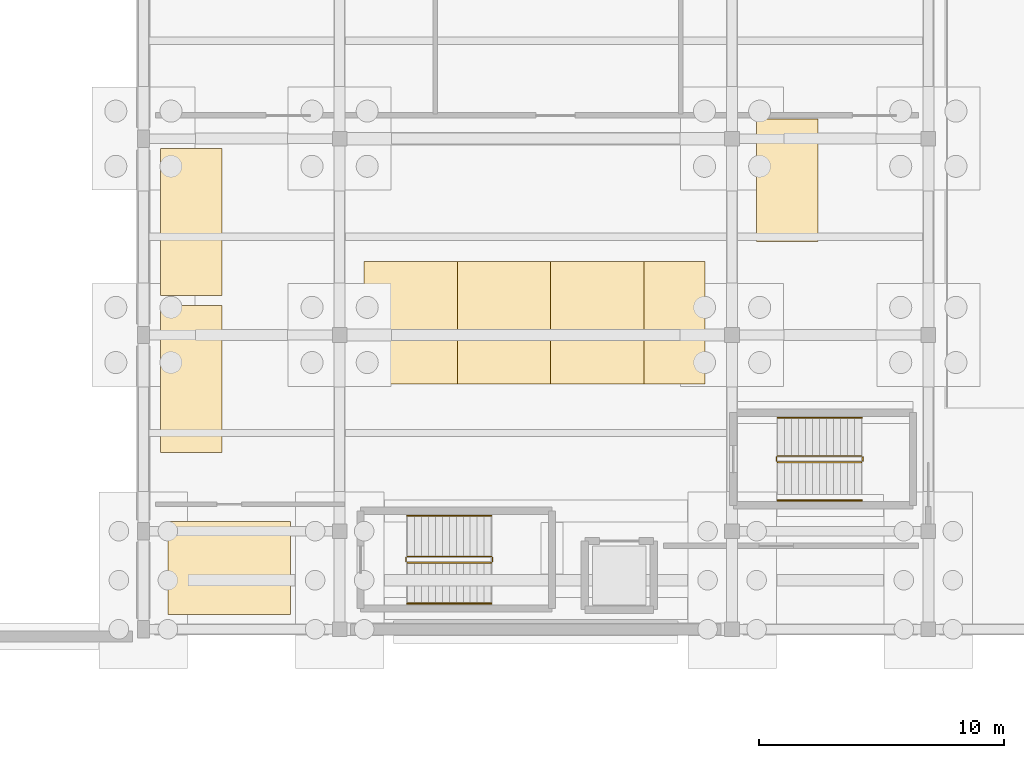
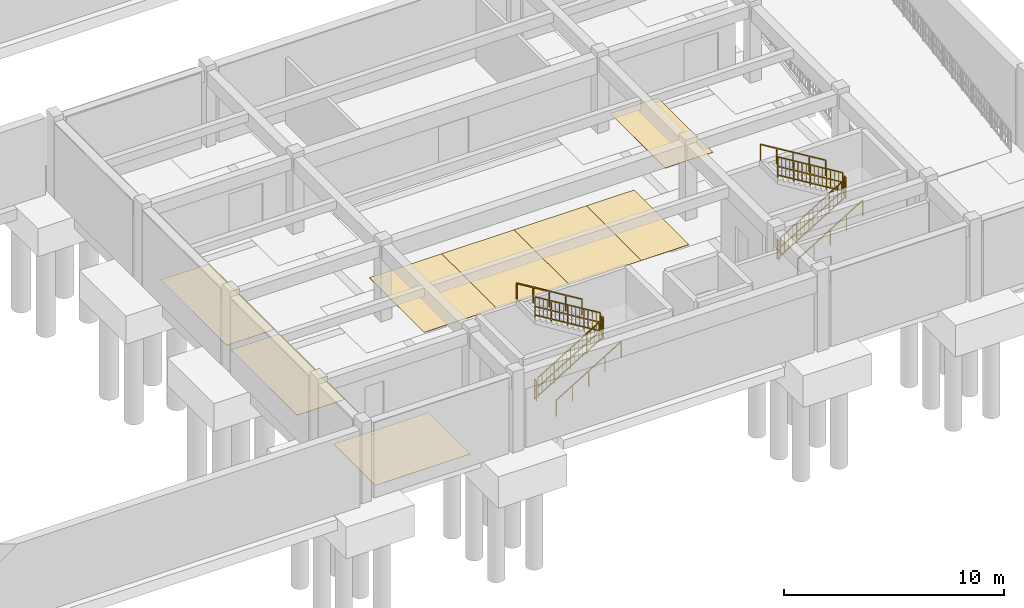
# One storey, part 8 of 11: 12 railings, 8 coverings.
"""IFC4 building model written with IfcOpenShell, lengths in metres."""

from ifc_helpers import new_model, si_unit, direction, frame, origin, origin_2d, place, context, subcontext, project, spatial, polyline, rectangle, outline, extrude, material, layer, layer_set, type_object, element, save


model = new_model("IFC4")

# Units and contexts
model_context = context("Model", 3, precision=1e-05, world=origin(), true_north=direction((0.0, 1.0)))
body_context = subcontext(model_context, "Body", "Model", "MODEL_VIEW")
ifc_project = project(units=[si_unit("LENGTHUNIT", "METRE"), si_unit("AREAUNIT", "SQUARE_METRE"), si_unit("VOLUMEUNIT", "CUBIC_METRE"), si_unit("PLANEANGLEUNIT", "RADIAN"), si_unit("MASSUNIT", "GRAM", prefix="KILO")], contexts=[model_context])

# Site, building, storey
site_placement = place(None, origin())
site = spatial("IfcSite", under=ifc_project, at=site_placement, CompositionType="ELEMENT")
building_placement = place(site_placement, origin())
building = spatial("IfcBuilding", under=site, at=building_placement, Name="Serraluz Foothill Cableway Terminal", CompositionType="ELEMENT")
storey_placement = place(building_placement, frame((0.0, 0.0, -4.5)))
storey = spatial("IfcBuildingStorey", under=building, at=storey_placement, Name="B1", CompositionType="ELEMENT", Elevation=-4.5)

# Coverings
ifc_material_1 = material(Name="Andean basalt ashlar masonry (f'm 18 MPa)", Category="masonry")
ifc_layer_1 = layer(ifc_material_1, 0.0400390625, Name="Andean basalt ashlar masonry (f'm 18 MPa)", Category="masonry")
ifc_layer_set_1 = layer_set([ifc_layer_1], Name="Andean basalt ashlar masonry (f'm 18 MPa)")
covering_type = type_object("IfcCoveringType", Name="TYP-COV-RDW-40", PredefinedType="USERDEFINED", material=ifc_layer_set_1)
covering_1_placement = place(storey_placement, origin())
element("IfcCovering", 1, at=covering_1_placement, inside=storey, type_object=covering_type, Name="Standard Car Parking Bay PK-S01", ObjectType="ROAD_MARKING", PredefinedType="USERDEFINED", context=body_context, shape_type="SweptSolid", body=[
    extrude(outline(polyline([(92.39990234375, 86.0), (94.89990234375, 86.0), (94.89990234375, 91.0), (92.39990234375, 91.0), (92.39990234375, 86.0)])), origin(), (0.0, 0.0, 1.0), 0.014892578125),
])
covering_2_placement = place(storey_placement, origin())
element("IfcCovering", 2, at=covering_2_placement, inside=storey, type_object=covering_type, Name="Standard Car Parking Bay PK-S02", ObjectType="ROAD_MARKING", PredefinedType="USERDEFINED", context=body_context, shape_type="SweptSolid", body=[
    extrude(outline(polyline([(72.699951171875, 83.199951171875), (75.199951171875, 83.199951171875), (75.199951171875, 89.199951171875), (72.699951171875, 89.199951171875), (72.699951171875, 83.199951171875)])), origin(), (0.0, 0.0, 1.0), 0.014892578125),
])
covering_3_placement = place(storey_placement, origin())
element("IfcCovering", 3, at=covering_3_placement, inside=storey, type_object=covering_type, Name="Standard Car Parking Bay PK-S03", ObjectType="ROAD_MARKING", PredefinedType="USERDEFINED", context=body_context, shape_type="SweptSolid", body=[
    extrude(outline(polyline([(72.699951171875, 89.60009765625), (75.199951171875, 89.60009765625), (75.199951171875, 95.60009765625), (72.699951171875, 95.60009765625), (72.699951171875, 89.60009765625)])), origin(), (0.0, 0.0, 1.0), 0.014892578125),
])
covering_4_placement = place(storey_placement, origin())
element("IfcCovering", 4, at=covering_4_placement, inside=storey, type_object=covering_type, Name="Standard Car Parking Bay PK-S04", ObjectType="ROAD_MARKING", PredefinedType="USERDEFINED", context=body_context, shape_type="SweptSolid", body=[
    extrude(outline(polyline([(97.0, 91.800048828125), (99.5, 91.800048828125), (99.5, 96.800048828125), (97.0, 96.800048828125), (97.0, 91.800048828125)])), origin(), (0.0, 0.0, 1.0), 0.014892578125),
])
covering_5_placement = place(storey_placement, origin())
element("IfcCovering", 5, at=covering_5_placement, inside=storey, type_object=covering_type, Name="Accessible PMR Parking Bay PK-PMR01", ObjectType="ROAD_MARKING", PredefinedType="USERDEFINED", context=body_context, shape_type="SweptSolid", body=[
    extrude(outline(polyline([(81.0, 86.0), (84.800048828125, 86.0), (84.800048828125, 91.0), (81.0, 91.0), (81.0, 86.0)])), origin(), (0.0, 0.0, 1.0), 0.014892578125),
])
covering_6_placement = place(storey_placement, origin())
element("IfcCovering", 6, at=covering_6_placement, inside=storey, type_object=covering_type, Name="Accessible PMR Parking Bay PK-PMR02", ObjectType="ROAD_MARKING", PredefinedType="USERDEFINED", context=body_context, shape_type="SweptSolid", body=[
    extrude(outline(polyline([(84.800048828125, 86.0), (88.60009765625, 86.0), (88.60009765625, 91.0), (84.800048828125, 91.0), (84.800048828125, 86.0)])), origin(), (0.0, 0.0, 1.0), 0.014892578125),
])
covering_7_placement = place(storey_placement, origin())
element("IfcCovering", 7, at=covering_7_placement, inside=storey, type_object=covering_type, Name="Accessible PMR Parking Bay PK-PMR03", ObjectType="ROAD_MARKING", PredefinedType="USERDEFINED", context=body_context, shape_type="SweptSolid", body=[
    extrude(outline(polyline([(88.60009765625, 86.0), (92.39990234375, 86.0), (92.39990234375, 91.0), (88.60009765625, 91.0), (88.60009765625, 86.0)])), origin(), (0.0, 0.0, 1.0), 0.014892578125),
])
covering_8_placement = place(storey_placement, origin())
element("IfcCovering", 8, at=covering_8_placement, inside=storey, type_object=covering_type, Name="Accessible PMR Parking Bay PK-PMR04", ObjectType="ROAD_MARKING", PredefinedType="USERDEFINED", context=body_context, shape_type="SweptSolid", body=[
    extrude(outline(polyline([(73.0, 76.60009765625), (78.0, 76.60009765625), (78.0, 80.39990234375), (73.0, 80.39990234375), (73.0, 76.60009765625)])), origin(), (0.0, 0.0, 1.0), 0.014892578125),
])

# Railings
ifc_material_2 = material(Name="Steel ASTM A572 Grade 50", Category="steel")
ifc_layer_2 = layer(ifc_material_2, 0.054931640625, Name="Steel ASTM A572 Grade 50", Category="steel")
ifc_layer_set_2 = layer_set([ifc_layer_2], Name="Steel ASTM A572 Grade 50")
railing_type_1 = type_object("IfcRailingType", Name="TYP-RL-GRD-1150", PredefinedType="GUARDRAIL", material=ifc_layer_set_2)
railing_1_placement = place(storey_placement, frame((82.760009765625, 78.7099609375, 0.173095703125)))
element("IfcRailing", 9, at=railing_1_placement, inside=storey, type_object=railing_type_1, Name="B1 ST-08 stair guard 1", PredefinedType="GUARDRAIL", context=body_context, shape_type="SweptSolid", body=[
    extrude(rectangle(XDim=0.048095703125, YDim=0.048095703125, at=origin_2d()), frame((0.0, 0.0, 1.1259765625), z_axis=(0.854729506542, 0.0, 0.519073665916), x_axis=(0.0, 1.0, 0.0)), (0.0, 0.0, 1.0), 4.001220703125),
    extrude(rectangle(XDim=0.048095703125, YDim=0.048095703125, at=origin_2d()), frame((0.0, 0.0, 0.597900390625), z_axis=(0.854729506542, 0.0, 0.519073665916), x_axis=(0.0, 1.0, 0.0)), (0.0, 0.0, 1.0), 4.001220703125),
    extrude(rectangle(XDim=0.048095703125, YDim=0.048095703125, at=origin_2d()), frame((0.0, 0.0, 0.1201171875), z_axis=(0.854729506542, 0.0, 0.519073665916), x_axis=(0.0, 1.0, 0.0)), (0.0, 0.0, 1.0), 4.001220703125),
    extrude(rectangle(XDim=0.02001953125, YDim=0.02001953125, at=origin_2d()), frame((0.2138671875, 0.0, 0.249755859375)), (0.0, 0.0, 1.0), 0.981689453125),
    extrude(rectangle(XDim=0.02001953125, YDim=0.02001953125, at=origin_2d()), frame((0.427490234375, 0.0, 0.379638671875)), (0.0, 0.0, 1.0), 0.981689453125),
    extrude(rectangle(XDim=0.02001953125, YDim=0.02001953125, at=origin_2d()), frame((0.64111328125, 0.0, 0.509521484375)), (0.0, 0.0, 1.0), 0.981689453125),
    extrude(rectangle(XDim=0.02001953125, YDim=0.02001953125, at=origin_2d()), frame((1.06884765625, 0.0, 0.76904296875)), (0.0, 0.0, 1.0), 0.981689453125),
    extrude(rectangle(XDim=0.02001953125, YDim=0.02001953125, at=origin_2d()), frame((1.282470703125, 0.0, 0.89892578125)), (0.0, 0.0, 1.0), 0.981689453125),
    extrude(rectangle(XDim=0.02001953125, YDim=0.02001953125, at=origin_2d()), frame((1.49609375, 0.0, 1.028564453125)), (0.0, 0.0, 1.0), 0.981689453125),
    extrude(rectangle(XDim=0.02001953125, YDim=0.02001953125, at=origin_2d()), frame((1.923828125, 0.0, 1.288330078125)), (0.0, 0.0, 1.0), 0.981689453125),
    extrude(rectangle(XDim=0.02001953125, YDim=0.02001953125, at=origin_2d()), frame((2.137451171875, 0.0, 1.41796875)), (0.0, 0.0, 1.0), 0.981689453125),
    extrude(rectangle(XDim=0.02001953125, YDim=0.02001953125, at=origin_2d()), frame((2.35107421875, 0.0, 1.5478515625)), (0.0, 0.0, 1.0), 0.981689453125),
    extrude(rectangle(XDim=0.02001953125, YDim=0.02001953125, at=origin_2d()), frame((2.77880859375, 0.0, 1.807373046875)), (0.0, 0.0, 1.0), 0.981689453125),
    extrude(rectangle(XDim=0.02001953125, YDim=0.02001953125, at=origin_2d()), frame((2.992431640625, 0.0, 1.937255859375)), (0.0, 0.0, 1.0), 0.981689453125),
    extrude(rectangle(XDim=0.02001953125, YDim=0.02001953125, at=origin_2d()), frame((3.2060546875, 0.0, 2.067138671875)), (0.0, 0.0, 1.0), 0.981689453125),
    extrude(rectangle(XDim=0.0439453125, YDim=0.0439453125, at=origin_2d()), origin(), (0.0, 0.0, 1.0), 1.101806640625),
    extrude(rectangle(XDim=0.0439453125, YDim=0.0439453125, at=origin_2d()), frame((0.85498046875, 0.0, 0.519287109375)), (0.0, 0.0, 1.0), 1.101806640625),
    extrude(rectangle(XDim=0.0439453125, YDim=0.0439453125, at=origin_2d()), frame((1.7099609375, 0.0, 1.03857421875)), (0.0, 0.0, 1.0), 1.101806640625),
    extrude(rectangle(XDim=0.0439453125, YDim=0.0439453125, at=origin_2d()), frame((2.56494140625, 0.0, 1.5576171875)), (0.0, 0.0, 1.0), 1.101806640625),
    extrude(rectangle(XDim=0.0439453125, YDim=0.0439453125, at=origin_2d()), frame((3.419921875, 0.0, 2.076904296875)), (0.0, 0.0, 1.0), 1.101806640625),
])
railing_2_placement = place(storey_placement, frame((86.22998046875, 78.760009765625, 2.25)))
element("IfcRailing", 10, at=railing_2_placement, inside=storey, type_object=railing_type_1, Name="B1 ST-08 stair guard 2", PredefinedType="GUARDRAIL", context=body_context, shape_type="SweptSolid", body=[
    extrude(rectangle(XDim=0.048095703125, YDim=0.048095703125, at=origin_2d()), frame((0.0, 0.0, 1.1259765625), z_axis=(0.0, 1.0, 0.0), x_axis=(-1.0, 0.0, 0.0)), (0.0, 0.0, 1.0), 0.159912109375),
    extrude(rectangle(XDim=0.048095703125, YDim=0.048095703125, at=origin_2d()), frame((0.0, 0.0, 0.597900390625), z_axis=(0.0, 1.0, 0.0), x_axis=(-1.0, 0.0, 0.0)), (0.0, 0.0, 1.0), 0.159912109375),
    extrude(rectangle(XDim=0.048095703125, YDim=0.048095703125, at=origin_2d()), frame((0.0, 0.0, 0.1201171875), z_axis=(0.0, 1.0, 0.0), x_axis=(-1.0, 0.0, 0.0)), (0.0, 0.0, 1.0), 0.159912109375),
    extrude(rectangle(XDim=0.0439453125, YDim=0.0439453125, at=origin_2d()), origin(), (0.0, 0.0, 1.0), 1.101806640625),
    extrude(rectangle(XDim=0.0439453125, YDim=0.0439453125, at=origin_2d()), frame((0.0, 0.159912109375, 0.0)), (0.0, 0.0, 1.0), 1.101806640625),
])
railing_3_placement = place(storey_placement, frame((86.179931640625, 78.969970703125, 2.423095703125)))
element("IfcRailing", 11, at=railing_3_placement, inside=storey, type_object=railing_type_1, Name="B1 ST-08 stair guard 3", PredefinedType="GUARDRAIL", context=body_context, shape_type="SweptSolid", body=[
    extrude(rectangle(XDim=0.048095703125, YDim=0.048095703125, at=origin_2d()), frame((0.0, 0.0, 1.1259765625), z_axis=(-0.854729506542, 0.0, 0.519073665916), x_axis=(0.0, -1.0, 0.0)), (0.0, 0.0, 1.0), 4.001220703125),
    extrude(rectangle(XDim=0.048095703125, YDim=0.048095703125, at=origin_2d()), frame((0.0, 0.0, 0.597900390625), z_axis=(-0.854729506542, 0.0, 0.519073665916), x_axis=(0.0, -1.0, 0.0)), (0.0, 0.0, 1.0), 4.001220703125),
    extrude(rectangle(XDim=0.048095703125, YDim=0.048095703125, at=origin_2d()), frame((0.0, 0.0, 0.1201171875), z_axis=(-0.854729506542, 0.0, 0.519073665916), x_axis=(0.0, -1.0, 0.0)), (0.0, 0.0, 1.0), 4.001220703125),
    extrude(rectangle(XDim=0.02001953125, YDim=0.02001953125, at=origin_2d()), frame((-0.2138671875, 0.0, 0.249755859375)), (0.0, 0.0, 1.0), 0.981689453125),
    extrude(rectangle(XDim=0.02001953125, YDim=0.02001953125, at=origin_2d()), frame((-0.427490234375, 0.0, 0.379638671875)), (0.0, 0.0, 1.0), 0.981689453125),
    extrude(rectangle(XDim=0.02001953125, YDim=0.02001953125, at=origin_2d()), frame((-0.64111328125, 0.0, 0.509521484375)), (0.0, 0.0, 1.0), 0.981689453125),
    extrude(rectangle(XDim=0.02001953125, YDim=0.02001953125, at=origin_2d()), frame((-1.06884765625, 0.0, 0.76904296875)), (0.0, 0.0, 1.0), 0.981689453125),
    extrude(rectangle(XDim=0.02001953125, YDim=0.02001953125, at=origin_2d()), frame((-1.282470703125, 0.0, 0.89892578125)), (0.0, 0.0, 1.0), 0.981689453125),
    extrude(rectangle(XDim=0.02001953125, YDim=0.02001953125, at=origin_2d()), frame((-1.49609375, 0.0, 1.028564453125)), (0.0, 0.0, 1.0), 0.981689453125),
    extrude(rectangle(XDim=0.02001953125, YDim=0.02001953125, at=origin_2d()), frame((-1.923828125, 0.0, 1.288330078125)), (0.0, 0.0, 1.0), 0.981689453125),
    extrude(rectangle(XDim=0.02001953125, YDim=0.02001953125, at=origin_2d()), frame((-2.137451171875, 0.0, 1.41796875)), (0.0, 0.0, 1.0), 0.981689453125),
    extrude(rectangle(XDim=0.02001953125, YDim=0.02001953125, at=origin_2d()), frame((-2.35107421875, 0.0, 1.5478515625)), (0.0, 0.0, 1.0), 0.981689453125),
    extrude(rectangle(XDim=0.02001953125, YDim=0.02001953125, at=origin_2d()), frame((-2.77880859375, 0.0, 1.807373046875)), (0.0, 0.0, 1.0), 0.981689453125),
    extrude(rectangle(XDim=0.02001953125, YDim=0.02001953125, at=origin_2d()), frame((-2.992431640625, 0.0, 1.937255859375)), (0.0, 0.0, 1.0), 0.981689453125),
    extrude(rectangle(XDim=0.02001953125, YDim=0.02001953125, at=origin_2d()), frame((-3.2060546875, 0.0, 2.067138671875)), (0.0, 0.0, 1.0), 0.981689453125),
    extrude(rectangle(XDim=0.0439453125, YDim=0.0439453125, at=origin_2d()), origin(), (0.0, 0.0, 1.0), 1.101806640625),
    extrude(rectangle(XDim=0.0439453125, YDim=0.0439453125, at=origin_2d()), frame((-0.85498046875, 0.0, 0.519287109375)), (0.0, 0.0, 1.0), 1.101806640625),
    extrude(rectangle(XDim=0.0439453125, YDim=0.0439453125, at=origin_2d()), frame((-1.7099609375, 0.0, 1.03857421875)), (0.0, 0.0, 1.0), 1.101806640625),
    extrude(rectangle(XDim=0.0439453125, YDim=0.0439453125, at=origin_2d()), frame((-2.56494140625, 0.0, 1.5576171875)), (0.0, 0.0, 1.0), 1.101806640625),
    extrude(rectangle(XDim=0.0439453125, YDim=0.0439453125, at=origin_2d()), frame((-3.419921875, 0.0, 2.076904296875)), (0.0, 0.0, 1.0), 1.101806640625),
])
railing_4_placement = place(storey_placement, frame((82.7099609375, 78.760009765625, 0.0)))
element("IfcRailing", 12, at=railing_4_placement, inside=storey, type_object=railing_type_1, Name="B1 ST-08 stair guard 4", PredefinedType="GUARDRAIL", context=body_context, shape_type="SweptSolid", body=[
    extrude(rectangle(XDim=0.048095703125, YDim=0.048095703125, at=origin_2d()), frame((0.0, 0.0, 1.1259765625), z_axis=(0.0, 1.0, 0.0), x_axis=(-1.0, 0.0, 0.0)), (0.0, 0.0, 1.0), 0.159912109375),
    extrude(rectangle(XDim=0.048095703125, YDim=0.048095703125, at=origin_2d()), frame((0.0, 0.0, 0.597900390625), z_axis=(0.0, 1.0, 0.0), x_axis=(-1.0, 0.0, 0.0)), (0.0, 0.0, 1.0), 0.159912109375),
    extrude(rectangle(XDim=0.048095703125, YDim=0.048095703125, at=origin_2d()), frame((0.0, 0.0, 0.1201171875), z_axis=(0.0, 1.0, 0.0), x_axis=(-1.0, 0.0, 0.0)), (0.0, 0.0, 1.0), 0.159912109375),
    extrude(rectangle(XDim=0.0439453125, YDim=0.0439453125, at=origin_2d()), origin(), (0.0, 0.0, 1.0), 1.101806640625),
    extrude(rectangle(XDim=0.0439453125, YDim=0.0439453125, at=origin_2d()), frame((0.0, 0.159912109375, 0.0)), (0.0, 0.0, 1.0), 1.101806640625),
])
railing_5_placement = place(storey_placement, frame((97.860107421875, 82.81005859375, 0.173095703125)))
element("IfcRailing", 13, at=railing_5_placement, inside=storey, type_object=railing_type_1, Name="B1 ST-09 stair guard 1", PredefinedType="GUARDRAIL", context=body_context, shape_type="SweptSolid", body=[
    extrude(rectangle(XDim=0.048095703125, YDim=0.048095703125, at=origin_2d()), frame((0.0, 0.0, 1.1259765625), z_axis=(0.854729506542, 0.0, 0.519073665916), x_axis=(0.0, 1.0, 0.0)), (0.0, 0.0, 1.0), 4.001220703125),
    extrude(rectangle(XDim=0.048095703125, YDim=0.048095703125, at=origin_2d()), frame((0.0, 0.0, 0.597900390625), z_axis=(0.854729506542, 0.0, 0.519073665916), x_axis=(0.0, 1.0, 0.0)), (0.0, 0.0, 1.0), 4.001220703125),
    extrude(rectangle(XDim=0.048095703125, YDim=0.048095703125, at=origin_2d()), frame((0.0, 0.0, 0.1201171875), z_axis=(0.854729506542, 0.0, 0.519073665916), x_axis=(0.0, 1.0, 0.0)), (0.0, 0.0, 1.0), 4.001220703125),
    extrude(rectangle(XDim=0.02001953125, YDim=0.02001953125, at=origin_2d()), frame((0.2138671875, 0.0, 0.249755859375)), (0.0, 0.0, 1.0), 0.981689453125),
    extrude(rectangle(XDim=0.02001953125, YDim=0.02001953125, at=origin_2d()), frame((0.427490234375, 0.0, 0.379638671875)), (0.0, 0.0, 1.0), 0.981689453125),
    extrude(rectangle(XDim=0.02001953125, YDim=0.02001953125, at=origin_2d()), frame((0.64111328125, 0.0, 0.509521484375)), (0.0, 0.0, 1.0), 0.981689453125),
    extrude(rectangle(XDim=0.02001953125, YDim=0.02001953125, at=origin_2d()), frame((1.06884765625, 0.0, 0.76904296875)), (0.0, 0.0, 1.0), 0.981689453125),
    extrude(rectangle(XDim=0.02001953125, YDim=0.02001953125, at=origin_2d()), frame((1.282470703125, 0.0, 0.89892578125)), (0.0, 0.0, 1.0), 0.981689453125),
    extrude(rectangle(XDim=0.02001953125, YDim=0.02001953125, at=origin_2d()), frame((1.49609375, 0.0, 1.028564453125)), (0.0, 0.0, 1.0), 0.981689453125),
    extrude(rectangle(XDim=0.02001953125, YDim=0.02001953125, at=origin_2d()), frame((1.923828125, 0.0, 1.288330078125)), (0.0, 0.0, 1.0), 0.981689453125),
    extrude(rectangle(XDim=0.02001953125, YDim=0.02001953125, at=origin_2d()), frame((2.137451171875, 0.0, 1.41796875)), (0.0, 0.0, 1.0), 0.981689453125),
    extrude(rectangle(XDim=0.02001953125, YDim=0.02001953125, at=origin_2d()), frame((2.35107421875, 0.0, 1.5478515625)), (0.0, 0.0, 1.0), 0.981689453125),
    extrude(rectangle(XDim=0.02001953125, YDim=0.02001953125, at=origin_2d()), frame((2.77880859375, 0.0, 1.807373046875)), (0.0, 0.0, 1.0), 0.981689453125),
    extrude(rectangle(XDim=0.02001953125, YDim=0.02001953125, at=origin_2d()), frame((2.992431640625, 0.0, 1.937255859375)), (0.0, 0.0, 1.0), 0.981689453125),
    extrude(rectangle(XDim=0.02001953125, YDim=0.02001953125, at=origin_2d()), frame((3.2060546875, 0.0, 2.067138671875)), (0.0, 0.0, 1.0), 0.981689453125),
    extrude(rectangle(XDim=0.0439453125, YDim=0.0439453125, at=origin_2d()), origin(), (0.0, 0.0, 1.0), 1.101806640625),
    extrude(rectangle(XDim=0.0439453125, YDim=0.0439453125, at=origin_2d()), frame((0.85498046875, 0.0, 0.519287109375)), (0.0, 0.0, 1.0), 1.101806640625),
    extrude(rectangle(XDim=0.0439453125, YDim=0.0439453125, at=origin_2d()), frame((1.7099609375, 0.0, 1.03857421875)), (0.0, 0.0, 1.0), 1.101806640625),
    extrude(rectangle(XDim=0.0439453125, YDim=0.0439453125, at=origin_2d()), frame((2.56494140625, 0.0, 1.5576171875)), (0.0, 0.0, 1.0), 1.101806640625),
    extrude(rectangle(XDim=0.0439453125, YDim=0.0439453125, at=origin_2d()), frame((3.419921875, 0.0, 2.076904296875)), (0.0, 0.0, 1.0), 1.101806640625),
])
railing_6_placement = place(storey_placement, frame((101.330078125, 82.860107421875, 2.25)))
element("IfcRailing", 14, at=railing_6_placement, inside=storey, type_object=railing_type_1, Name="B1 ST-09 stair guard 2", PredefinedType="GUARDRAIL", context=body_context, shape_type="SweptSolid", body=[
    extrude(rectangle(XDim=0.048095703125, YDim=0.048095703125, at=origin_2d()), frame((0.0, 0.0, 1.1259765625), z_axis=(0.0, 1.0, 0.0), x_axis=(-1.0, 0.0, 0.0)), (0.0, 0.0, 1.0), 0.159912109375),
    extrude(rectangle(XDim=0.048095703125, YDim=0.048095703125, at=origin_2d()), frame((0.0, 0.0, 0.597900390625), z_axis=(0.0, 1.0, 0.0), x_axis=(-1.0, 0.0, 0.0)), (0.0, 0.0, 1.0), 0.159912109375),
    extrude(rectangle(XDim=0.048095703125, YDim=0.048095703125, at=origin_2d()), frame((0.0, 0.0, 0.1201171875), z_axis=(0.0, 1.0, 0.0), x_axis=(-1.0, 0.0, 0.0)), (0.0, 0.0, 1.0), 0.159912109375),
    extrude(rectangle(XDim=0.0439453125, YDim=0.0439453125, at=origin_2d()), origin(), (0.0, 0.0, 1.0), 1.101806640625),
    extrude(rectangle(XDim=0.0439453125, YDim=0.0439453125, at=origin_2d()), frame((0.0, 0.159912109375, 0.0)), (0.0, 0.0, 1.0), 1.101806640625),
])
railing_7_placement = place(storey_placement, frame((101.280029296875, 83.070068359375, 2.423095703125)))
element("IfcRailing", 15, at=railing_7_placement, inside=storey, type_object=railing_type_1, Name="B1 ST-09 stair guard 3", PredefinedType="GUARDRAIL", context=body_context, shape_type="SweptSolid", body=[
    extrude(rectangle(XDim=0.048095703125, YDim=0.048095703125, at=origin_2d()), frame((0.0, 0.0, 1.1259765625), z_axis=(-0.854729506542, 0.0, 0.519073665916), x_axis=(0.0, -1.0, 0.0)), (0.0, 0.0, 1.0), 4.001220703125),
    extrude(rectangle(XDim=0.048095703125, YDim=0.048095703125, at=origin_2d()), frame((0.0, 0.0, 0.597900390625), z_axis=(-0.854729506542, 0.0, 0.519073665916), x_axis=(0.0, -1.0, 0.0)), (0.0, 0.0, 1.0), 4.001220703125),
    extrude(rectangle(XDim=0.048095703125, YDim=0.048095703125, at=origin_2d()), frame((0.0, 0.0, 0.1201171875), z_axis=(-0.854729506542, 0.0, 0.519073665916), x_axis=(0.0, -1.0, 0.0)), (0.0, 0.0, 1.0), 4.001220703125),
    extrude(rectangle(XDim=0.02001953125, YDim=0.02001953125, at=origin_2d()), frame((-0.2138671875, 0.0, 0.249755859375)), (0.0, 0.0, 1.0), 0.981689453125),
    extrude(rectangle(XDim=0.02001953125, YDim=0.02001953125, at=origin_2d()), frame((-0.427490234375, 0.0, 0.379638671875)), (0.0, 0.0, 1.0), 0.981689453125),
    extrude(rectangle(XDim=0.02001953125, YDim=0.02001953125, at=origin_2d()), frame((-0.64111328125, 0.0, 0.509521484375)), (0.0, 0.0, 1.0), 0.981689453125),
    extrude(rectangle(XDim=0.02001953125, YDim=0.02001953125, at=origin_2d()), frame((-1.06884765625, 0.0, 0.76904296875)), (0.0, 0.0, 1.0), 0.981689453125),
    extrude(rectangle(XDim=0.02001953125, YDim=0.02001953125, at=origin_2d()), frame((-1.282470703125, 0.0, 0.89892578125)), (0.0, 0.0, 1.0), 0.981689453125),
    extrude(rectangle(XDim=0.02001953125, YDim=0.02001953125, at=origin_2d()), frame((-1.49609375, 0.0, 1.028564453125)), (0.0, 0.0, 1.0), 0.981689453125),
    extrude(rectangle(XDim=0.02001953125, YDim=0.02001953125, at=origin_2d()), frame((-1.923828125, 0.0, 1.288330078125)), (0.0, 0.0, 1.0), 0.981689453125),
    extrude(rectangle(XDim=0.02001953125, YDim=0.02001953125, at=origin_2d()), frame((-2.137451171875, 0.0, 1.41796875)), (0.0, 0.0, 1.0), 0.981689453125),
    extrude(rectangle(XDim=0.02001953125, YDim=0.02001953125, at=origin_2d()), frame((-2.35107421875, 0.0, 1.5478515625)), (0.0, 0.0, 1.0), 0.981689453125),
    extrude(rectangle(XDim=0.02001953125, YDim=0.02001953125, at=origin_2d()), frame((-2.77880859375, 0.0, 1.807373046875)), (0.0, 0.0, 1.0), 0.981689453125),
    extrude(rectangle(XDim=0.02001953125, YDim=0.02001953125, at=origin_2d()), frame((-2.992431640625, 0.0, 1.937255859375)), (0.0, 0.0, 1.0), 0.981689453125),
    extrude(rectangle(XDim=0.02001953125, YDim=0.02001953125, at=origin_2d()), frame((-3.2060546875, 0.0, 2.067138671875)), (0.0, 0.0, 1.0), 0.981689453125),
    extrude(rectangle(XDim=0.0439453125, YDim=0.0439453125, at=origin_2d()), origin(), (0.0, 0.0, 1.0), 1.101806640625),
    extrude(rectangle(XDim=0.0439453125, YDim=0.0439453125, at=origin_2d()), frame((-0.85498046875, 0.0, 0.519287109375)), (0.0, 0.0, 1.0), 1.101806640625),
    extrude(rectangle(XDim=0.0439453125, YDim=0.0439453125, at=origin_2d()), frame((-1.7099609375, 0.0, 1.03857421875)), (0.0, 0.0, 1.0), 1.101806640625),
    extrude(rectangle(XDim=0.0439453125, YDim=0.0439453125, at=origin_2d()), frame((-2.56494140625, 0.0, 1.5576171875)), (0.0, 0.0, 1.0), 1.101806640625),
    extrude(rectangle(XDim=0.0439453125, YDim=0.0439453125, at=origin_2d()), frame((-3.419921875, 0.0, 2.076904296875)), (0.0, 0.0, 1.0), 1.101806640625),
])
railing_8_placement = place(storey_placement, frame((97.81005859375, 82.860107421875, 0.0)))
element("IfcRailing", 16, at=railing_8_placement, inside=storey, type_object=railing_type_1, Name="B1 ST-09 stair guard 4", PredefinedType="GUARDRAIL", context=body_context, shape_type="SweptSolid", body=[
    extrude(rectangle(XDim=0.048095703125, YDim=0.048095703125, at=origin_2d()), frame((0.0, 0.0, 1.1259765625), z_axis=(0.0, 1.0, 0.0), x_axis=(-1.0, 0.0, 0.0)), (0.0, 0.0, 1.0), 0.159912109375),
    extrude(rectangle(XDim=0.048095703125, YDim=0.048095703125, at=origin_2d()), frame((0.0, 0.0, 0.597900390625), z_axis=(0.0, 1.0, 0.0), x_axis=(-1.0, 0.0, 0.0)), (0.0, 0.0, 1.0), 0.159912109375),
    extrude(rectangle(XDim=0.048095703125, YDim=0.048095703125, at=origin_2d()), frame((0.0, 0.0, 0.1201171875), z_axis=(0.0, 1.0, 0.0), x_axis=(-1.0, 0.0, 0.0)), (0.0, 0.0, 1.0), 0.159912109375),
    extrude(rectangle(XDim=0.0439453125, YDim=0.0439453125, at=origin_2d()), origin(), (0.0, 0.0, 1.0), 1.101806640625),
    extrude(rectangle(XDim=0.0439453125, YDim=0.0439453125, at=origin_2d()), frame((0.0, 0.159912109375, 0.0)), (0.0, 0.0, 1.0), 1.101806640625),
])
ifc_material_3 = material(Name="Architectural bronze alloy C28000", Category="aluminium")
ifc_layer_3 = layer(ifc_material_3, 0.048095703125, Name="Architectural bronze alloy C28000", Category="aluminium")
ifc_layer_set_3 = layer_set([ifc_layer_3], Name="Architectural bronze alloy C28000")
railing_type_2 = type_object("IfcRailingType", Name="TYP-RL-HND-920", PredefinedType="HANDRAIL", material=ifc_layer_set_3)
railing_9_placement = place(storey_placement, frame((82.760009765625, 77.050048828125, 0.173095703125)))
element("IfcRailing", 17, at=railing_9_placement, inside=storey, type_object=railing_type_2, Name="B1 ST-08 stair handrail 1", PredefinedType="HANDRAIL", context=body_context, shape_type="SweptSolid", body=[
    extrude(rectangle(XDim=0.048095703125, YDim=0.048095703125, at=origin_2d()), frame((0.0, 0.0, 0.8759765625), z_axis=(0.854729506542, 0.0, 0.519073665916), x_axis=(0.0, 1.0, 0.0)), (0.0, 0.0, 1.0), 4.001220703125),
    extrude(rectangle(XDim=0.0439453125, YDim=0.0439453125, at=origin_2d()), origin(), (0.0, 0.0, 1.0), 0.851806640625),
    extrude(rectangle(XDim=0.0439453125, YDim=0.0439453125, at=origin_2d()), frame((0.85498046875, 0.0, 0.519287109375)), (0.0, 0.0, 1.0), 0.851806640625),
    extrude(rectangle(XDim=0.0439453125, YDim=0.0439453125, at=origin_2d()), frame((1.7099609375, 0.0, 1.03857421875)), (0.0, 0.0, 1.0), 0.851806640625),
    extrude(rectangle(XDim=0.0439453125, YDim=0.0439453125, at=origin_2d()), frame((2.56494140625, 0.0, 1.5576171875)), (0.0, 0.0, 1.0), 0.851806640625),
    extrude(rectangle(XDim=0.0439453125, YDim=0.0439453125, at=origin_2d()), frame((3.419921875, 0.0, 2.076904296875)), (0.0, 0.0, 1.0), 0.851806640625),
])
railing_10_placement = place(storey_placement, frame((86.179931640625, 80.6298828125, 2.423095703125)))
element("IfcRailing", 18, at=railing_10_placement, inside=storey, type_object=railing_type_2, Name="B1 ST-08 stair handrail 2", PredefinedType="HANDRAIL", context=body_context, shape_type="SweptSolid", body=[
    extrude(rectangle(XDim=0.048095703125, YDim=0.048095703125, at=origin_2d()), frame((0.0, 0.0, 0.8759765625), z_axis=(-0.854729506542, 0.0, 0.519073665916), x_axis=(0.0, -1.0, 0.0)), (0.0, 0.0, 1.0), 4.001220703125),
    extrude(rectangle(XDim=0.0439453125, YDim=0.0439453125, at=origin_2d()), origin(), (0.0, 0.0, 1.0), 0.851806640625),
    extrude(rectangle(XDim=0.0439453125, YDim=0.0439453125, at=origin_2d()), frame((-0.85498046875, 0.0, 0.519287109375)), (0.0, 0.0, 1.0), 0.851806640625),
    extrude(rectangle(XDim=0.0439453125, YDim=0.0439453125, at=origin_2d()), frame((-1.7099609375, 0.0, 1.03857421875)), (0.0, 0.0, 1.0), 0.851806640625),
    extrude(rectangle(XDim=0.0439453125, YDim=0.0439453125, at=origin_2d()), frame((-2.56494140625, 0.0, 1.5576171875)), (0.0, 0.0, 1.0), 0.851806640625),
    extrude(rectangle(XDim=0.0439453125, YDim=0.0439453125, at=origin_2d()), frame((-3.419921875, 0.0, 2.076904296875)), (0.0, 0.0, 1.0), 0.851806640625),
])
railing_11_placement = place(storey_placement, frame((97.860107421875, 81.25, 0.173095703125)))
element("IfcRailing", 19, at=railing_11_placement, inside=storey, type_object=railing_type_2, Name="B1 ST-09 stair handrail 1", PredefinedType="HANDRAIL", context=body_context, shape_type="SweptSolid", body=[
    extrude(rectangle(XDim=0.048095703125, YDim=0.048095703125, at=origin_2d()), frame((0.0, 0.0, 0.8759765625), z_axis=(0.854729506542, 0.0, 0.519073665916), x_axis=(0.0, 1.0, 0.0)), (0.0, 0.0, 1.0), 4.001220703125),
    extrude(rectangle(XDim=0.0439453125, YDim=0.0439453125, at=origin_2d()), origin(), (0.0, 0.0, 1.0), 0.851806640625),
    extrude(rectangle(XDim=0.0439453125, YDim=0.0439453125, at=origin_2d()), frame((0.85498046875, 0.0, 0.519287109375)), (0.0, 0.0, 1.0), 0.851806640625),
    extrude(rectangle(XDim=0.0439453125, YDim=0.0439453125, at=origin_2d()), frame((1.7099609375, 0.0, 1.03857421875)), (0.0, 0.0, 1.0), 0.851806640625),
    extrude(rectangle(XDim=0.0439453125, YDim=0.0439453125, at=origin_2d()), frame((2.56494140625, 0.0, 1.5576171875)), (0.0, 0.0, 1.0), 0.851806640625),
    extrude(rectangle(XDim=0.0439453125, YDim=0.0439453125, at=origin_2d()), frame((3.419921875, 0.0, 2.076904296875)), (0.0, 0.0, 1.0), 0.851806640625),
])
railing_12_placement = place(storey_placement, frame((101.280029296875, 84.6298828125, 2.423095703125)))
element("IfcRailing", 20, at=railing_12_placement, inside=storey, type_object=railing_type_2, Name="B1 ST-09 stair handrail 2", PredefinedType="HANDRAIL", context=body_context, shape_type="SweptSolid", body=[
    extrude(rectangle(XDim=0.048095703125, YDim=0.048095703125, at=origin_2d()), frame((0.0, 0.0, 0.8759765625), z_axis=(-0.854729506542, 0.0, 0.519073665916), x_axis=(0.0, -1.0, 0.0)), (0.0, 0.0, 1.0), 4.001220703125),
    extrude(rectangle(XDim=0.0439453125, YDim=0.0439453125, at=origin_2d()), origin(), (0.0, 0.0, 1.0), 0.851806640625),
    extrude(rectangle(XDim=0.0439453125, YDim=0.0439453125, at=origin_2d()), frame((-0.85498046875, 0.0, 0.519287109375)), (0.0, 0.0, 1.0), 0.851806640625),
    extrude(rectangle(XDim=0.0439453125, YDim=0.0439453125, at=origin_2d()), frame((-1.7099609375, 0.0, 1.03857421875)), (0.0, 0.0, 1.0), 0.851806640625),
    extrude(rectangle(XDim=0.0439453125, YDim=0.0439453125, at=origin_2d()), frame((-2.56494140625, 0.0, 1.5576171875)), (0.0, 0.0, 1.0), 0.851806640625),
    extrude(rectangle(XDim=0.0439453125, YDim=0.0439453125, at=origin_2d()), frame((-3.419921875, 0.0, 2.076904296875)), (0.0, 0.0, 1.0), 0.851806640625),
])

save(model, "model.ifc")
